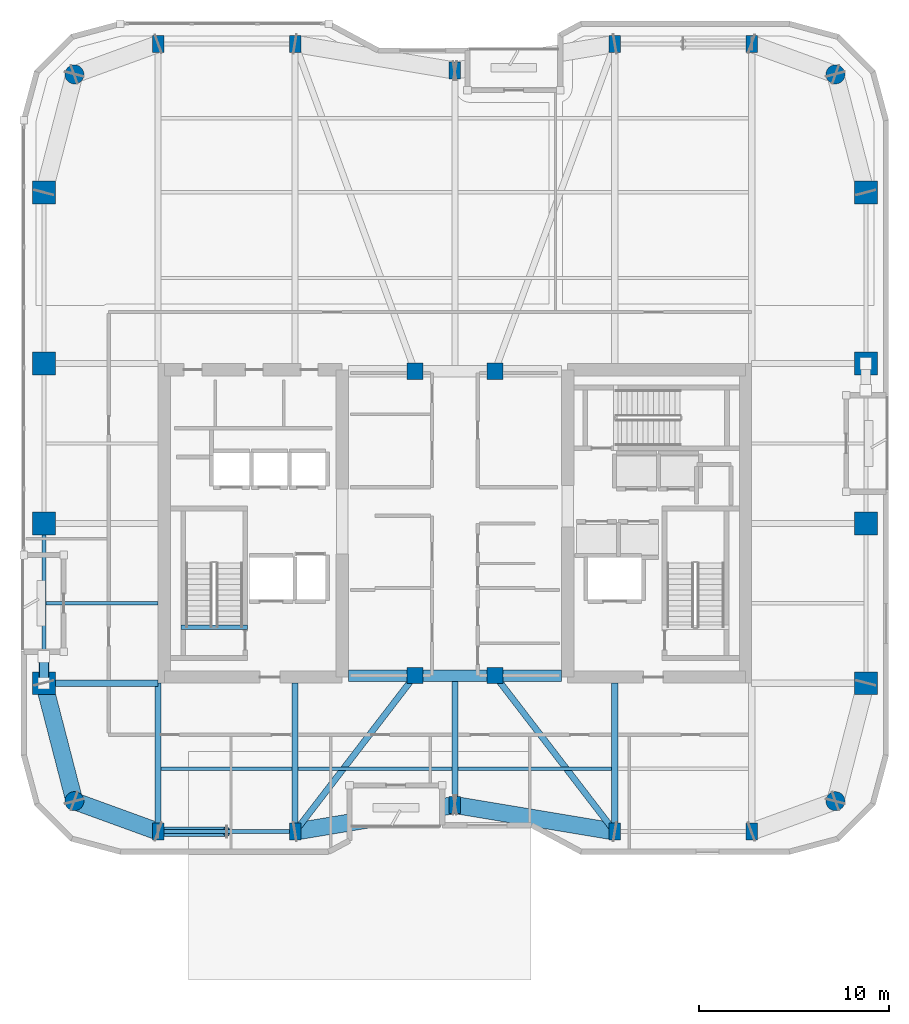
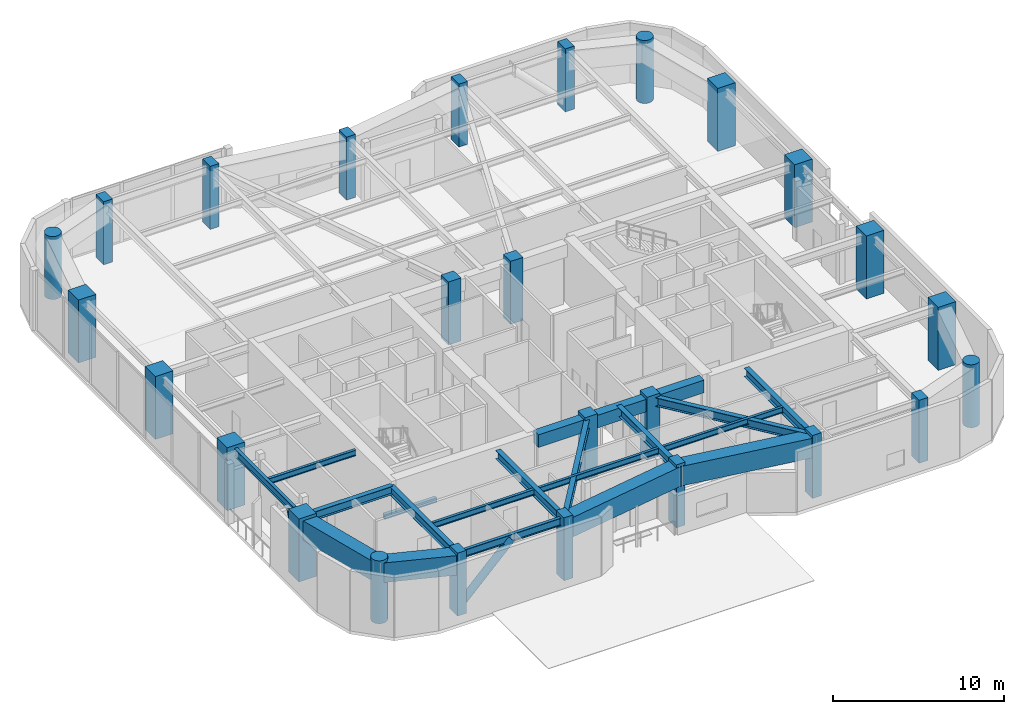
# One storey, part 1 of 18: 26 columns, 21 beams, 2 members.
"""IFC4 building model written with IfcOpenShell, lengths in metres."""

from ifc_helpers import new_model, si_unit, direction, frame, origin, origin_2d, place, context, subcontext, project, spatial, rectangle, hollow_rectangle, circle, hollow_circle, i_section, extrude, material, material_profile, profile_set, type_object, element, save


model = new_model("IFC4")

# Units and contexts
model_context = context("Model", 3, precision=1e-05, world=origin(), true_north=direction((0.0, 1.0)))
body_context = subcontext(model_context, "Body", "Model", "MODEL_VIEW")
ifc_project = project(units=[si_unit("LENGTHUNIT", "METRE"), si_unit("AREAUNIT", "SQUARE_METRE"), si_unit("VOLUMEUNIT", "CUBIC_METRE"), si_unit("PLANEANGLEUNIT", "RADIAN"), si_unit("MASSUNIT", "GRAM", prefix="KILO")], contexts=[model_context])

# Site, building, storey
site_placement = place(None, origin())
site = spatial("IfcSite", under=ifc_project, at=site_placement, CompositionType="ELEMENT")
building_placement = place(site_placement, origin())
building = spatial("IfcBuilding", under=site, at=building_placement, Name="Kiyonajd Concourse Tower", CompositionType="ELEMENT")
storey_placement = place(building_placement, frame((0.0, 0.0, 214.800048828125)))
storey = spatial("IfcBuildingStorey", under=building, at=storey_placement, Name="L54", CompositionType="ELEMENT", Elevation=214.800048828125)

# Columns
ifc_material_1 = material(Name="Concrete C60/75", Category="concrete")
ifc_material_profile_1 = material_profile(ifc_material_1, rectangle(XDim=0.60009765625, YDim=0.89990234375, at=origin_2d()), Name="RC-900x600")
ifc_profile_set_1 = profile_set([ifc_material_profile_1], Name="Concrete C60/75")
column_type_1 = type_object("IfcColumnType", Name="CL-BLADE-900", PredefinedType="COLUMN", material=ifc_profile_set_1)
for number, where, z_axis, x_axis, name in (
    (1, (32.39990234375, 19.800048828125, 0.0), (0.0, 0.0, 1.0), (1.0, 0.0, 0.0), "L54 Perimeter Bundled Tube Column"),
    (2, (32.39990234375, 61.199951171875, 0.0), (0.0, 0.0, 1.0), (1.0, 0.0, 0.0), "L54 Perimeter Bundled Tube Column"),
    (3, (39.60009765625, 19.800048828125, 0.0), (0.0, 0.0, 1.0), (1.0, 0.0, 0.0), "L54 Perimeter Bundled Tube Column"),
    (4, (39.60009765625, 61.199951171875, 0.0), (0.0, 0.0, 1.0), (1.0, 0.0, 0.0), "L54 Perimeter Bundled Tube Column"),
    (5, (48.0, 21.199951171875, 0.0), (0.0, 0.0, 1.0), (1.0, 0.0, 0.0), "L54 Perimeter Bundled Tube Column"),
    (6, (48.0, 59.800048828125, 0.0), (0.0, 0.0, 1.0), (1.0, 0.0, 0.0), "L54 Perimeter Bundled Tube Column"),
    (7, (56.39990234375, 19.800048828125, 0.0), (0.0, 0.0, 1.0), (1.0, 0.0, 0.0), "L54 Perimeter Bundled Tube Column"),
    (8, (56.39990234375, 61.199951171875, 0.0), (0.0, 0.0, 1.0), (1.0, 0.0, 0.0), "L54 Perimeter Bundled Tube Column"),
    (9, (63.60009765625, 19.800048828125, 0.0), (0.0, 0.0, 1.0), (1.0, 0.0, 0.0), "L54 Perimeter Bundled Tube Column"),
    (10, (63.60009765625, 61.199951171875, 0.0), (0.0, 0.0, 1.0), (1.0, 0.0, 0.0), "L54 Perimeter Bundled Tube Column"),
):
    element("IfcColumn", number, at=place(storey_placement, frame(where, z_axis=z_axis, x_axis=x_axis)), inside=storey, type_object=column_type_1, Name=name, PredefinedType="COLUMN", context=body_context, shape_type="SweptSolid", body=[
        extrude(rectangle(XDim=0.60009765625, YDim=0.89990234375, at=origin_2d()), origin(), (0.0, 0.0, 1.0), 4.5),
    ])
ifc_material_profile_2 = material_profile(ifc_material_1, circle(Radius=0.5, at=origin_2d()), Name="RCC-D1000")
ifc_profile_set_2 = profile_set([ifc_material_profile_2], Name="Concrete C60/75")
column_type_2 = type_object("IfcColumnType", Name="CL-RND-1000", PredefinedType="COLUMN", material=ifc_profile_set_2)
for number, where, z_axis, x_axis, name in (
    (11, (28.0, 21.39990234375, 0.0), (0.0, 0.0, 1.0), (1.0, 0.0, 0.0), "L54 Bundled Tube Corner Column South West"),
    (12, (68.0, 21.39990234375, 0.0), (0.0, 0.0, 1.0), (1.0, 0.0, 0.0), "L54 Bundled Tube Corner Column South East"),
    (13, (68.0, 59.60009765625, 0.0), (0.0, 0.0, 1.0), (1.0, 0.0, 0.0), "L54 Bundled Tube Corner Column North East"),
    (14, (28.0, 59.60009765625, 0.0), (0.0, 0.0, 1.0), (1.0, 0.0, 0.0), "L54 Bundled Tube Corner Column North West"),
):
    element("IfcColumn", number, at=place(storey_placement, frame(where, z_axis=z_axis, x_axis=x_axis)), inside=storey, type_object=column_type_2, Name=name, PredefinedType="COLUMN", context=body_context, shape_type="SweptSolid", body=[
        extrude(circle(Radius=0.5, at=origin_2d()), origin(), (0.0, 0.0, 1.0), 4.5),
    ])
ifc_material_2 = material(Name="Concrete C70/85", Category="concrete")
ifc_material_profile_3 = material_profile(ifc_material_2, rectangle(XDim=1.199951171875, YDim=1.199951171875, at=origin_2d()), Name="RC-1200x1200")
ifc_profile_set_3 = profile_set([ifc_material_profile_3], Name="Concrete C70/85")
column_type_3 = type_object("IfcColumnType", Name="CL-TUBE-1200", PredefinedType="COLUMN", material=ifc_profile_set_3)
for number, where, z_axis, x_axis, name in (
    (15, (26.39990234375, 27.60009765625, 0.0), (0.0, 0.0, 1.0), (1.0, 0.0, 0.0), "L54 Perimeter Bundled Tube Column"),
    (16, (69.60009765625, 27.60009765625, 0.0), (0.0, 0.0, 1.0), (1.0, 0.0, 0.0), "L54 Perimeter Bundled Tube Column"),
    (17, (26.39990234375, 36.0, 0.0), (0.0, 0.0, 1.0), (1.0, 0.0, 0.0), "L54 Perimeter Bundled Tube Column"),
    (18, (69.60009765625, 36.0, 0.0), (0.0, 0.0, 1.0), (1.0, 0.0, 0.0), "L54 Perimeter Bundled Tube Column"),
    (19, (26.39990234375, 44.39990234375, 0.0), (0.0, 0.0, 1.0), (1.0, 0.0, 0.0), "L54 Perimeter Bundled Tube Column"),
    (20, (69.60009765625, 44.39990234375, 0.0), (0.0, 0.0, 1.0), (1.0, 0.0, 0.0), "L54 Perimeter Bundled Tube Column"),
    (21, (26.39990234375, 53.39990234375, 0.0), (0.0, 0.0, 1.0), (1.0, 0.0, 0.0), "L54 Perimeter Bundled Tube Column"),
    (22, (69.60009765625, 53.39990234375, 0.0), (0.0, 0.0, 1.0), (1.0, 0.0, 0.0), "L54 Perimeter Bundled Tube Column"),
):
    element("IfcColumn", number, at=place(storey_placement, frame(where, z_axis=z_axis, x_axis=x_axis)), inside=storey, type_object=column_type_3, Name=name, PredefinedType="COLUMN", context=body_context, shape_type="SweptSolid", body=[
        extrude(rectangle(XDim=1.199951171875, YDim=1.199951171875, at=origin_2d()), origin(), (0.0, 0.0, 1.0), 4.5),
    ])
ifc_material_profile_4 = material_profile(ifc_material_1, rectangle(XDim=0.85009765625, YDim=0.85009765625, at=origin_2d()), Name="RC-850x850")
ifc_profile_set_4 = profile_set([ifc_material_profile_4], Name="Concrete C60/75")
column_type_4 = type_object("IfcColumnType", Name="CL-TUBE-850", PredefinedType="COLUMN", material=ifc_profile_set_4)
for number, where, z_axis, x_axis, name in (
    (23, (45.89990234375, 28.0, 0.0), (0.0, 0.0, 1.0), (1.0, 0.0, 0.0), "L54 Core Tie Column South West"),
    (24, (50.10009765625, 28.0, 0.0), (0.0, 0.0, 1.0), (1.0, 0.0, 0.0), "L54 Core Tie Column South East"),
    (25, (45.89990234375, 44.0, 0.0), (0.0, 0.0, 1.0), (1.0, 0.0, 0.0), "L54 Core Tie Column North West"),
    (26, (50.10009765625, 44.0, 0.0), (0.0, 0.0, 1.0), (1.0, 0.0, 0.0), "L54 Core Tie Column North East"),
):
    element("IfcColumn", number, at=place(storey_placement, frame(where, z_axis=z_axis, x_axis=x_axis)), inside=storey, type_object=column_type_4, Name=name, PredefinedType="COLUMN", context=body_context, shape_type="SweptSolid", body=[
        extrude(rectangle(XDim=0.85009765625, YDim=0.85009765625, at=origin_2d()), origin(), (0.0, 0.0, 1.0), 4.5),
    ])

# Beams
ifc_material_profile_5 = material_profile(ifc_material_1, rectangle(XDim=0.60009765625, YDim=0.89990234375, at=origin_2d()), Name="RCBM-600x900")
ifc_profile_set_5 = profile_set([ifc_material_profile_5], Name="Concrete C60/75")
beam_type_1 = type_object("IfcBeamType", Name="BM-COUP-900", PredefinedType="LINTEL", material=ifc_profile_set_5)
beam_1_placement = place(storey_placement, frame((42.39990234375, 28.0, 3.829833984375), z_axis=(1.0, 0.0, 0.0), x_axis=(0.0, 1.0, 0.0)))
element("IfcBeam", 27, at=beam_1_placement, inside=storey, type_object=beam_type_1, Name="L54 Core Coupling Beam S1", PredefinedType="LINTEL", context=body_context, shape_type="SweptSolid", body=[
    extrude(rectangle(XDim=0.60009765625, YDim=0.89990234375, at=origin_2d()), origin(), (0.0, 0.0, 1.0), 3.5),
])
beam_2_placement = place(storey_placement, frame((45.89990234375, 28.0, 3.829833984375), z_axis=(1.0, 0.0, 0.0), x_axis=(0.0, 1.0, 0.0)))
element("IfcBeam", 28, at=beam_2_placement, inside=storey, type_object=beam_type_1, Name="L54 Core Coupling Beam S2", PredefinedType="LINTEL", context=body_context, shape_type="SweptSolid", body=[
    extrude(rectangle(XDim=0.60009765625, YDim=0.89990234375, at=origin_2d()), origin(), (0.0, 0.0, 1.0), 4.2001953125),
])
beam_3_placement = place(storey_placement, frame((50.10009765625, 28.0, 3.829833984375), z_axis=(1.0, 0.0, 0.0), x_axis=(0.0, 1.0, 0.0)))
element("IfcBeam", 29, at=beam_3_placement, inside=storey, type_object=beam_type_1, Name="L54 Core Coupling Beam S3", PredefinedType="LINTEL", context=body_context, shape_type="SweptSolid", body=[
    extrude(rectangle(XDim=0.60009765625, YDim=0.89990234375, at=origin_2d()), origin(), (0.0, 0.0, 1.0), 3.5),
])
ifc_material_3 = material(Name="Steel ASTM A992 Grade 50", Category="steel")
ifc_material_profile_6 = material_profile(ifc_material_3, i_section(OverallWidth=0.180908203125, OverallDepth=0.4169921875, WebThickness=0.010986328125, FlangeThickness=0.018310546875, at=origin_2d()), Name="W410X85")
ifc_profile_set_6 = profile_set([ifc_material_profile_6], Name="Steel ASTM A992 Grade 50")
beam_type_2 = type_object("IfcBeamType", Name="BM-JST-410", PredefinedType="JOIST", material=ifc_profile_set_6)
beam_4_placement = place(storey_placement, frame((32.56201171875, 23.10009765625, 4.071533203125), z_axis=(1.0, 0.0, 0.0), x_axis=(0.0, 1.0, 0.0)))
element("IfcBeam", 30, at=beam_4_placement, inside=storey, type_object=beam_type_2, Name="L54 Secondary Floor Joist", PredefinedType="JOIST", context=body_context, shape_type="SweptSolid", body=[
    extrude(i_section(OverallWidth=0.180908203125, OverallDepth=0.4169921875, WebThickness=0.010986328125, FlangeThickness=0.018310546875, at=origin_2d()), origin(), (0.0, 0.0, 1.0), 6.8759765625),
])
for number, where, z_axis, x_axis, name in (
    (31, (39.761962890625, 23.10009765625, 4.071533203125), (1.0, 0.0, 0.0), (0.0, 1.0, 0.0), "L54 Secondary Floor Joist"),
    (32, (48.162109375, 23.10009765625, 4.071533203125), (1.0, 0.0, 0.0), (0.0, 1.0, 0.0), "L54 Secondary Floor Joist"),
):
    element("IfcBeam", number, at=place(storey_placement, frame(where, z_axis=z_axis, x_axis=x_axis)), inside=storey, type_object=beam_type_2, Name=name, PredefinedType="JOIST", context=body_context, shape_type="SweptSolid", body=[
        extrude(i_section(OverallWidth=0.180908203125, OverallDepth=0.4169921875, WebThickness=0.010986328125, FlangeThickness=0.018310546875, at=origin_2d()), origin(), (0.0, 0.0, 1.0), 8.075927734375),
    ])
beam_5_placement = place(storey_placement, frame((26.507080078125, 31.800048828125, 4.071533203125), z_axis=(1.0, 0.0, 0.0), x_axis=(0.0, 1.0, 0.0)))
element("IfcBeam", 33, at=beam_5_placement, inside=storey, type_object=beam_type_2, Name="L54 West Secondary Floor Joist", PredefinedType="JOIST", context=body_context, shape_type="SweptSolid", body=[
    extrude(i_section(OverallWidth=0.180908203125, OverallDepth=0.4169921875, WebThickness=0.010986328125, FlangeThickness=0.018310546875, at=origin_2d()), origin(), (0.0, 0.0, 1.0), 5.892822265625),
])
ifc_material_4 = material(Name="Concrete C50/60", Category="concrete")
ifc_material_profile_7 = material_profile(ifc_material_4, rectangle(XDim=0.239990234375, YDim=0.320068359375, at=origin_2d()), Name="RCBM-240x320")
ifc_profile_set_7 = profile_set([ifc_material_profile_7], Name="Concrete C50/60")
beam_type_3 = type_object("IfcBeamType", Name="BM-LNT-250", PredefinedType="LINTEL", material=ifc_profile_set_7)
beam_6_placement = place(storey_placement, frame((33.590087890625, 30.530029296875, -0.16015625), z_axis=(1.0, 0.0, 0.0), x_axis=(0.0, 1.0, 0.0)))
element("IfcBeam", 34, at=beam_6_placement, inside=storey, type_object=beam_type_3, Name="L54 Stair ST1 Threshold Support Beam", PredefinedType="LINTEL", context=body_context, shape_type="SweptSolid", body=[
    extrude(rectangle(XDim=0.239990234375, YDim=0.320068359375, at=origin_2d()), origin(), (0.0, 0.0, 1.0), 3.52001953125),
])
ifc_material_profile_8 = material_profile(ifc_material_3, i_section(OverallWidth=0.214111328125, OverallDepth=0.549072265625, WebThickness=0.0146484375, FlangeThickness=0.023681640625, at=origin_2d()), Name="W530X138")
ifc_profile_set_8 = profile_set([ifc_material_profile_8], Name="Steel ASTM A992 Grade 50")
beam_type_4 = type_object("IfcBeamType", Name="BM-SPAN-530A", PredefinedType="SPANDREL", material=ifc_profile_set_8)
beam_7_placement = place(storey_placement, frame((32.39990234375, 19.800048828125, 4.00537109375), z_axis=(1.0, 0.0, 0.0), x_axis=(0.0, 1.0, 0.0)))
element("IfcBeam", 35, at=beam_7_placement, inside=storey, type_object=beam_type_4, Name="L54 Perimeter Bundled Tube Spandrel", PredefinedType="SPANDREL", context=body_context, shape_type="SweptSolid", body=[
    extrude(i_section(OverallWidth=0.214111328125, OverallDepth=0.549072265625, WebThickness=0.0146484375, FlangeThickness=0.023681640625, at=origin_2d()), origin(), (0.0, 0.0, 1.0), 7.2001953125),
])
beam_8_placement = place(storey_placement, frame((26.39990234375, 36.0, 4.00537109375), z_axis=(0.0, -1.0, 0.0), x_axis=(1.0, 0.0, 0.0)))
element("IfcBeam", 36, at=beam_8_placement, inside=storey, type_object=beam_type_4, Name="L54 Perimeter Bundled Tube Spandrel", PredefinedType="SPANDREL", context=body_context, shape_type="SweptSolid", body=[
    extrude(i_section(OverallWidth=0.214111328125, OverallDepth=0.549072265625, WebThickness=0.0146484375, FlangeThickness=0.023681640625, at=origin_2d()), origin(), (0.0, 0.0, 1.0), 8.39990234375),
])
ifc_material_profile_9 = material_profile(ifc_material_3, i_section(OverallWidth=0.326904296875, OverallDepth=0.6220703125, WebThickness=0.015380859375, FlangeThickness=0.0244140625, at=origin_2d()), Name="W610X195")
ifc_profile_set_9 = profile_set([ifc_material_profile_9], Name="Steel ASTM A992 Grade 50")
beam_type_5 = type_object("IfcBeamType", Name="BM-TWR-610A", PredefinedType="BEAM", material=ifc_profile_set_9)
for number, where, z_axis, x_axis, name in (
    (37, (39.60009765625, 19.800048828125, 3.968994140625), (0.609233709922, 0.792990722956, 0.0), (-0.792990722956, 0.609233709922, 0.0), "L54 Core Tie Girder"),
    (38, (50.10009765625, 28.0, 3.968994140625), (0.609233709922, -0.792990722956, 0.0), (0.792990722956, 0.609233709922, 0.0), "L54 Core Tie Girder"),
):
    element("IfcBeam", number, at=place(storey_placement, frame(where, z_axis=z_axis, x_axis=x_axis)), inside=storey, type_object=beam_type_5, Name=name, PredefinedType="BEAM", context=body_context, shape_type="SweptSolid", body=[
        extrude(i_section(OverallWidth=0.326904296875, OverallDepth=0.6220703125, WebThickness=0.015380859375, FlangeThickness=0.0244140625, at=origin_2d()), origin(), (0.0, 0.0, 1.0), 10.340576171875),
    ])
ifc_material_profile_10 = material_profile(ifc_material_3, i_section(OverallWidth=0.323974609375, OverallDepth=0.611083984375, WebThickness=0.0126953125, FlangeThickness=0.01904296875, at=origin_2d()), Name="W610X155")
ifc_profile_set_10 = profile_set([ifc_material_profile_10], Name="Steel ASTM A992 Grade 50")
beam_type_6 = type_object("IfcBeamType", Name="BM-TWR-610B", PredefinedType="BEAM", material=ifc_profile_set_10)
for number, where, z_axis, x_axis, name in (
    (39, (32.39990234375, 19.800048828125, 3.974365234375), (0.0, 1.0, 0.0), (-1.0, 0.0, 0.0), "L54 South Lease Girder"),
    (40, (39.60009765625, 19.800048828125, 3.974365234375), (0.0, 1.0, 0.0), (-1.0, 0.0, 0.0), "L54 South Lease Girder"),
    (41, (56.39990234375, 19.800048828125, 3.974365234375), (0.0, 1.0, 0.0), (-1.0, 0.0, 0.0), "L54 South Lease Girder"),
):
    element("IfcBeam", number, at=place(storey_placement, frame(where, z_axis=z_axis, x_axis=x_axis)), inside=storey, type_object=beam_type_6, Name=name, PredefinedType="BEAM", context=body_context, shape_type="SweptSolid", body=[
        extrude(i_section(OverallWidth=0.323974609375, OverallDepth=0.611083984375, WebThickness=0.0126953125, FlangeThickness=0.01904296875, at=origin_2d()), origin(), (0.0, 0.0, 1.0), 7.800048828125),
    ])
beam_9_placement = place(storey_placement, frame((48.0, 21.199951171875, 3.974365234375), z_axis=(0.0, 1.0, 0.0), x_axis=(-1.0, 0.0, 0.0)))
element("IfcBeam", 42, at=beam_9_placement, inside=storey, type_object=beam_type_6, Name="L54 South Ribbon Girder", PredefinedType="BEAM", context=body_context, shape_type="SweptSolid", body=[
    extrude(i_section(OverallWidth=0.323974609375, OverallDepth=0.611083984375, WebThickness=0.0126953125, FlangeThickness=0.01904296875, at=origin_2d()), origin(), (0.0, 0.0, 1.0), 6.800048828125),
])
beam_10_placement = place(storey_placement, frame((26.39990234375, 27.60009765625, 3.974365234375), z_axis=(1.0, 0.0, 0.0), x_axis=(0.0, 1.0, 0.0)))
element("IfcBeam", 43, at=beam_10_placement, inside=storey, type_object=beam_type_6, Name="L54 West Lease Girder", PredefinedType="BEAM", context=body_context, shape_type="SweptSolid", body=[
    extrude(i_section(OverallWidth=0.323974609375, OverallDepth=0.611083984375, WebThickness=0.0126953125, FlangeThickness=0.01904296875, at=origin_2d()), origin(), (0.0, 0.0, 1.0), 6.0),
])
ifc_material_5 = material(Name="Steel ASTM A572 Grade 50", Category="steel")
ifc_material_profile_11 = material_profile(ifc_material_5, hollow_rectangle(XDim=0.89990234375, YDim=1.39990234375, WallThickness=0.070068359375, at=origin_2d()), Name="BOX-1400x900x70")
ifc_profile_set_11 = profile_set([ifc_material_profile_11], Name="Steel ASTM A572 Grade 50")
beam_type_7 = type_object("IfcBeamType", Name="BM-XFER-1400", PredefinedType="BEAM", material=ifc_profile_set_11)
beam_11_placement = place(storey_placement, frame((26.39990234375, 27.60009765625, 3.579833984375), z_axis=(0.249884937687, -0.968275538221, 0.0), x_axis=(0.968275538221, 0.249884937687, 0.0)))
element("IfcBeam", 44, at=beam_11_placement, inside=storey, type_object=beam_type_7, Name="L54 Perimeter Bundled Tube Spandrel", PredefinedType="BEAM", context=body_context, shape_type="SweptSolid", body=[
    extrude(hollow_rectangle(XDim=0.89990234375, YDim=1.39990234375, WallThickness=0.070068359375, at=origin_2d()), origin(), (0.0, 0.0, 1.0), 6.4033203125),
])
beam_12_placement = place(storey_placement, frame((28.0, 21.39990234375, 3.579833984375), z_axis=(0.939801036019, -0.341722127901, 0.0), x_axis=(0.341722127901, 0.939801036019, 0.0)))
element("IfcBeam", 45, at=beam_12_placement, inside=storey, type_object=beam_type_7, Name="L54 Perimeter Bundled Tube Spandrel", PredefinedType="BEAM", context=body_context, shape_type="SweptSolid", body=[
    extrude(hollow_rectangle(XDim=0.89990234375, YDim=1.39990234375, WallThickness=0.070068359375, at=origin_2d()), origin(), (0.0, 0.0, 1.0), 4.681640625),
])
for number, where, z_axis, x_axis, name in (
    (46, (39.60009765625, 19.800048828125, 3.579833984375), (0.986395473479, 0.164389689151, 0.0), (-0.164389689151, 0.986395473479, 0.0), "L54 Perimeter Bundled Tube Spandrel"),
    (47, (48.0, 21.199951171875, 3.579833984375), (0.986395473479, -0.164389689151, 0.0), (0.164389689151, 0.986395473479, 0.0), "L54 Perimeter Bundled Tube Spandrel"),
):
    element("IfcBeam", number, at=place(storey_placement, frame(where, z_axis=z_axis, x_axis=x_axis)), inside=storey, type_object=beam_type_7, Name=name, PredefinedType="BEAM", context=body_context, shape_type="SweptSolid", body=[
        extrude(hollow_rectangle(XDim=0.89990234375, YDim=1.39990234375, WallThickness=0.070068359375, at=origin_2d()), origin(), (0.0, 0.0, 1.0), 8.515869140625),
    ])

# Members
ifc_material_6 = material(Name="Steel ASTM A500 Grade C", Category="steel")
ifc_material_profile_12 = material_profile(ifc_material_6, hollow_circle(Radius=0.25390625, WallThickness=0.02197265625, at=origin_2d()), Name="CHS-508x22")
ifc_profile_set_12 = profile_set([ifc_material_profile_12], Name="Steel ASTM A500 Grade C")
member_type = type_object("IfcMemberType", Name="MB-PB-MID", PredefinedType="BRACE", material=ifc_profile_set_12)
member_1_placement = place(storey_placement, frame((32.39990234375, 19.800048828125, 0.300048828125), z_axis=(0.704187756773, 0.0, 0.710013804944), x_axis=(0.0, 1.0, 0.0)))
element("IfcMember", 48, at=member_1_placement, inside=storey, type_object=member_type, Name="L54 Upper Zone Hollow Tube Brace PBS", PredefinedType="BRACE", context=body_context, shape_type="SweptSolid", body=[
    extrude(hollow_circle(Radius=0.25390625, WallThickness=0.02197265625, at=origin_2d()), origin(), (0.0, 0.0, 1.0), 5.1123046875),
])
member_2_placement = place(storey_placement, frame((26.39990234375, 27.60009765625, 0.300048828125), z_axis=(0.0, 0.359828366716, 0.933018513486), x_axis=(-1.0, 0.0, 0.0)))
element("IfcMember", 49, at=member_2_placement, inside=storey, type_object=member_type, Name="L54 Upper Zone Hollow Tube Brace PBW", PredefinedType="BRACE", context=body_context, shape_type="SweptSolid", body=[
    extrude(hollow_circle(Radius=0.25390625, WallThickness=0.02197265625, at=origin_2d()), origin(), (0.0, 0.0, 1.0), 3.890380859375),
])

save(model, "model.ifc")
